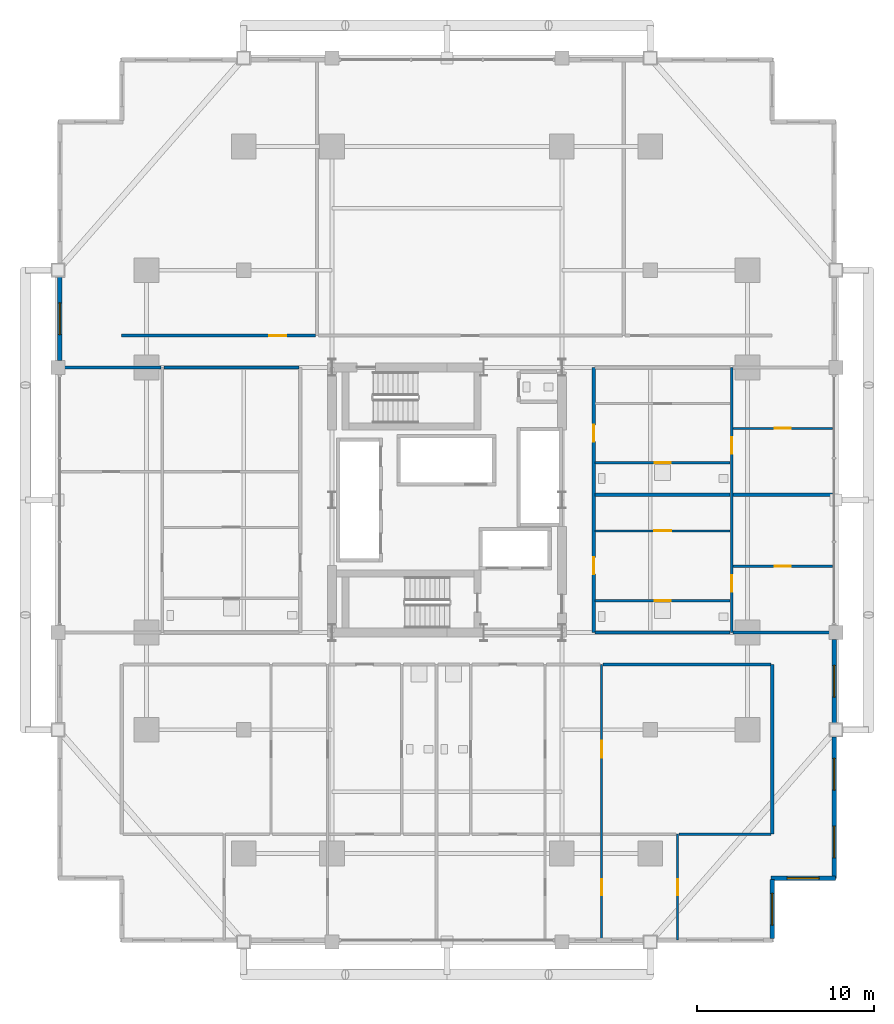
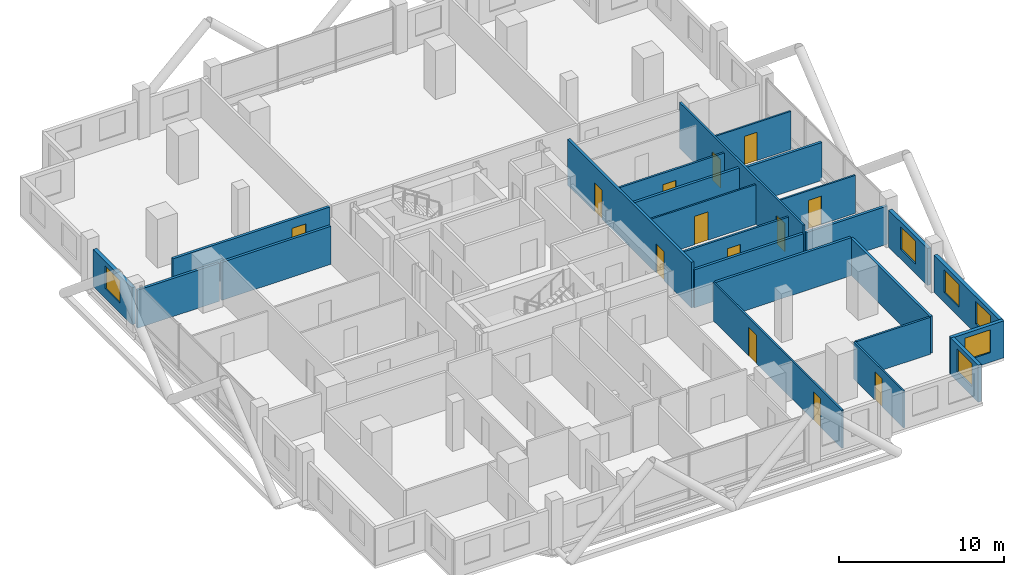
# One storey, part 23 of 27: 24 walls, 13 doors, 6 windows, 19 openings.
"""IFC4 building model written with IfcOpenShell, lengths in metres."""

from ifc_helpers import new_model, si_unit, direction, frame, frame_2d, origin, place, context, subcontext, project, spatial, rectangle, extrude, material, layer, layer_set, type_object, element, fill, save


model = new_model("IFC4")

# Units and contexts
model_context = context("Model", 3, precision=1e-05, world=origin(), true_north=direction((0.0, 1.0)))
body_context = subcontext(model_context, "Body", "Model", "MODEL_VIEW")
ifc_project = project(units=[si_unit("LENGTHUNIT", "METRE"), si_unit("AREAUNIT", "SQUARE_METRE"), si_unit("VOLUMEUNIT", "CUBIC_METRE"), si_unit("PLANEANGLEUNIT", "RADIAN"), si_unit("MASSUNIT", "GRAM", prefix="KILO")], contexts=[model_context])

# Site, building, storey
site_placement = place(None, origin())
site = spatial("IfcSite", under=ifc_project, at=site_placement, CompositionType="ELEMENT")
building_placement = place(site_placement, origin())
building = spatial("IfcBuilding", under=site, at=building_placement, Name="Barlavira Tower and Art Museum", CompositionType="ELEMENT")
storey_placement = place(building_placement, frame((0.0, 0.0, 72.0)))
storey = spatial("IfcBuildingStorey", under=building, at=storey_placement, Name="L17", CompositionType="ELEMENT", Elevation=72.0)

# Wall, openings, doors
ifc_material_1 = material(Name="Gypsum acoustic stud partition", Category="gypsum")
ifc_layer_1 = layer(ifc_material_1, 0.1201171875, Name="Gypsum acoustic stud partition")
ifc_layer_set_1 = layer_set([ifc_layer_1], Name="Gypsum acoustic stud partition")
wall_type_1 = type_object("IfcWallType", Name="Apartment Internal Acoustic Partition 120", PredefinedType="PARTITIONING", material=ifc_layer_set_1)
wall_1_placement = place(storey_placement, frame((8.75, -24.89990234375, 0.0), z_axis=(0.0, 0.0, 1.0), x_axis=(0.0, 1.0, 0.0)))
wall_1 = element("IfcWall", 1, at=wall_1_placement, inside=storey, type_object=wall_type_1, Name="L17 Partition Wall 14", PredefinedType="PARTITIONING", context=body_context, shape_type="SweptSolid", body=[
    extrude(rectangle(XDim=15.599853515625, YDim=0.1201171875, at=frame_2d((7.7998046875, 0.0))), origin(), (0.0, 0.0, 1.0), 2.81591796875),
])
opening_1_placement = place(wall_1_placement, frame((10.324951171875, 0.0, 0.0)))
opening_1 = element("IfcOpeningElement", 2, at=opening_1_placement, cuts=wall_1, Name="Opening D-02", PredefinedType="OPENING", context=body_context, shape_type="SweptSolid", body=[
    extrude(rectangle(XDim=0.949951171875, YDim=2.10009765625, at=frame_2d((0.47509765625, 1.050048828125))), frame((0.0, 0.070068359375, 0.0), z_axis=(0.0, -1.0, 0.0), x_axis=(1.0, 0.0, 0.0)), (0.0, 0.0, 1.0), 0.14013671875),
])
opening_2_placement = place(wall_1_placement, frame((2.550048828125, 0.0, 0.0)))
opening_2 = element("IfcOpeningElement", 3, at=opening_2_placement, cuts=wall_1, Name="Opening D-01", PredefinedType="OPENING", context=body_context, shape_type="SweptSolid", body=[
    extrude(rectangle(XDim=0.89990234375, YDim=2.10009765625, at=frame_2d((0.449951171875, 1.050048828125))), frame((0.0, 0.070068359375, 0.0), z_axis=(0.0, -1.0, 0.0), x_axis=(1.0, 0.0, 0.0)), (0.0, 0.0, 1.0), 0.14013671875),
])
ifc_material_2 = material(Name="Engineered coastal hardwood", Category="wood")
door_type_1 = type_object("IfcDoorType", Name="Internal Bedroom Timber Flush Door 900x2100", OperationType="NOTDEFINED", PredefinedType="DOOR", material=ifc_material_2)
door_1_placement = place(opening_2_placement, origin())
door_1 = element("IfcDoor", 4, at=door_1_placement, inside=storey, type_object=door_type_1, Name="Apartment S2 Bedroom 2 Door", OperationType="SINGLE_SWING_LEFT", OverallHeight=2.10009765625, OverallWidth=0.89990234375, PredefinedType="DOOR", context=body_context, shape_type="SweptSolid", body=[
    extrude(rectangle(XDim=0.89990234375, YDim=2.10009765625, at=frame_2d((0.449951171875, 1.050048828125))), frame((0.0, 0.02490234375, 0.0), z_axis=(0.0, -1.0, 0.0), x_axis=(1.0, 0.0, 0.0)), (0.0, 0.0, 1.0), 0.050048828125),
])
fill(opening_2, door_1)
door_type_2 = type_object("IfcDoorType", Name="Living and Salon Glazed-Leaf Door 950x2100", OperationType="NOTDEFINED", PredefinedType="DOOR", material=ifc_material_2)
door_2_placement = place(opening_1_placement, origin())
door_2 = element("IfcDoor", 5, at=door_2_placement, inside=storey, type_object=door_type_2, Name="Apartment S2 Dining Salon Door", OperationType="SINGLE_SWING_RIGHT", OverallHeight=2.10009765625, OverallWidth=0.949951171875, PredefinedType="DOOR", context=body_context, shape_type="SweptSolid", body=[
    extrude(rectangle(XDim=0.949951171875, YDim=2.10009765625, at=frame_2d((0.47509765625, 1.050048828125))), frame((0.0, 0.02490234375, 0.0), z_axis=(0.0, -1.0, 0.0), x_axis=(1.0, 0.0, 0.0)), (0.0, 0.0, 1.0), 0.050048828125),
])
fill(opening_1, door_2)

# Wall, opening, door
wall_2_placement = place(storey_placement, frame((13.050048828125, -24.89990234375, 0.0), z_axis=(0.0, 0.0, 1.0), x_axis=(0.0, 1.0, 0.0)))
wall_2 = element("IfcWall", 6, at=wall_2_placement, inside=storey, type_object=wall_type_1, Name="L17 Partition Wall 16", PredefinedType="PARTITIONING", context=body_context, shape_type="SweptSolid", body=[
    extrude(rectangle(XDim=6.0, YDim=0.1201171875, at=frame_2d((3.0, 0.0))), origin(), (0.0, 0.0, 1.0), 2.736083984375),
])
opening_3_placement = place(wall_2_placement, frame((2.550048828125, 0.0, 0.0)))
opening_3 = element("IfcOpeningElement", 7, at=opening_3_placement, cuts=wall_2, Name="Opening D-01", PredefinedType="OPENING", context=body_context, shape_type="SweptSolid", body=[
    extrude(rectangle(XDim=0.89990234375, YDim=2.10009765625, at=frame_2d((0.449951171875, 1.050048828125))), frame((0.0, 0.070068359375, 0.0), z_axis=(0.0, -1.0, 0.0), x_axis=(1.0, 0.0, 0.0)), (0.0, 0.0, 1.0), 0.14013671875),
])
door_3_placement = place(opening_3_placement, origin())
door_3 = element("IfcDoor", 8, at=door_3_placement, inside=storey, type_object=door_type_1, Name="Apartment S2 Bedroom 3 Door", OperationType="SINGLE_SWING_RIGHT", OverallHeight=2.10009765625, OverallWidth=0.89990234375, PredefinedType="DOOR", context=body_context, shape_type="SweptSolid", body=[
    extrude(rectangle(XDim=0.89990234375, YDim=2.10009765625, at=frame_2d((0.449951171875, 1.050048828125))), frame((0.0, 0.02490234375, 0.0), z_axis=(0.0, -1.0, 0.0), x_axis=(1.0, 0.0, 0.0)), (0.0, 0.0, 1.0), 0.050048828125),
])
fill(opening_3, door_3)

wall_3_placement = place(storey_placement, frame((16.179931640625, -3.75, 0.0), z_axis=(0.0, 0.0, 1.0), x_axis=(1.0, 0.0, 0.0)))
wall_3 = element("IfcWall", 9, at=wall_3_placement, inside=storey, type_object=wall_type_1, Name="L17 Partition Wall 43", PredefinedType="PARTITIONING", context=body_context, shape_type="SweptSolid", body=[
    extrude(rectangle(XDim=5.64013671875, YDim=0.1201171875, at=frame_2d((2.820068359375, 0.0))), origin(), (0.0, 0.0, 1.0), 2.81591796875),
])
opening_4_placement = place(wall_3_placement, frame((2.3701171875, 0.0, 0.0)))
opening_4 = element("IfcOpeningElement", 10, at=opening_4_placement, cuts=wall_3, Name="Opening D-01", PredefinedType="OPENING", context=body_context, shape_type="SweptSolid", body=[
    extrude(rectangle(XDim=0.89990234375, YDim=2.10009765625, at=frame_2d((0.449951171875, 1.050048828125))), frame((0.0, 0.070068359375, 0.0), z_axis=(0.0, -1.0, 0.0), x_axis=(1.0, 0.0, 0.0)), (0.0, 0.0, 1.0), 0.14013671875),
])
door_4_placement = place(opening_4_placement, origin())
door_4 = element("IfcDoor", 11, at=door_4_placement, inside=storey, type_object=door_type_1, Name="Apartment E1 Bedroom 1 Door", OperationType="SINGLE_SWING_RIGHT", OverallHeight=2.10009765625, OverallWidth=0.89990234375, PredefinedType="DOOR", context=body_context, shape_type="SweptSolid", body=[
    extrude(rectangle(XDim=0.89990234375, YDim=2.10009765625, at=frame_2d((0.449951171875, 1.050048828125))), frame((0.0, 0.02490234375, 0.0), z_axis=(0.0, -1.0, 0.0), x_axis=(1.0, 0.0, 0.0)), (0.0, 0.0, 1.0), 0.050048828125),
])
fill(opening_4, door_4)

wall_4_placement = place(storey_placement, frame((8.3798828125, -1.75, 0.0), z_axis=(0.0, 0.0, 1.0), x_axis=(1.0, 0.0, 0.0)))
wall_4 = element("IfcWall", 12, at=wall_4_placement, inside=storey, type_object=wall_type_1, Name="L17 Partition Wall 44", PredefinedType="PARTITIONING", context=body_context, shape_type="SweptSolid", body=[
    extrude(rectangle(XDim=7.64013671875, YDim=0.1201171875, at=frame_2d((3.820068359375, 0.0))), origin(), (0.0, 0.0, 1.0), 2.947998046875),
])
opening_5_placement = place(wall_4_placement, frame((3.344970703125, 0.0, 0.0)))
opening_5 = element("IfcOpeningElement", 13, at=opening_5_placement, cuts=wall_4, Name="Opening D-02", PredefinedType="OPENING", context=body_context, shape_type="SweptSolid", body=[
    extrude(rectangle(XDim=0.949951171875, YDim=2.10009765625, at=frame_2d((0.47509765625, 1.050048828125))), frame((0.0, 0.070068359375, 0.0), z_axis=(0.0, -1.0, 0.0), x_axis=(1.0, 0.0, 0.0)), (0.0, 0.0, 1.0), 0.14013671875),
])
door_5_placement = place(opening_5_placement, origin())
door_5 = element("IfcDoor", 14, at=door_5_placement, inside=storey, type_object=door_type_2, Name="Apartment E1 Kitchen Door", OperationType="SINGLE_SWING_RIGHT", OverallHeight=2.10009765625, OverallWidth=0.949951171875, PredefinedType="DOOR", context=body_context, shape_type="SweptSolid", body=[
    extrude(rectangle(XDim=0.949951171875, YDim=2.10009765625, at=frame_2d((0.47509765625, 1.050048828125))), frame((0.0, 0.02490234375, 0.0), z_axis=(0.0, -1.0, 0.0), x_axis=(1.0, 0.0, 0.0)), (0.0, 0.0, 1.0), 0.050048828125),
])
fill(opening_5, door_5)

wall_5_placement = place(storey_placement, frame((16.179931640625, 4.050048828125, 0.0), z_axis=(0.0, 0.0, 1.0), x_axis=(1.0, 0.0, 0.0)))
wall_5 = element("IfcWall", 15, at=wall_5_placement, inside=storey, type_object=wall_type_1, Name="L17 Partition Wall 51", PredefinedType="PARTITIONING", context=body_context, shape_type="SweptSolid", body=[
    extrude(rectangle(XDim=5.64013671875, YDim=0.1201171875, at=frame_2d((2.820068359375, 0.0))), origin(), (0.0, 0.0, 1.0), 2.81591796875),
])
opening_6_placement = place(wall_5_placement, frame((2.3701171875, 0.0, 0.0)))
opening_6 = element("IfcOpeningElement", 16, at=opening_6_placement, cuts=wall_5, Name="Opening D-01", PredefinedType="OPENING", context=body_context, shape_type="SweptSolid", body=[
    extrude(rectangle(XDim=0.89990234375, YDim=2.10009765625, at=frame_2d((0.449951171875, 1.050048828125))), frame((0.0, 0.070068359375, 0.0), z_axis=(0.0, -1.0, 0.0), x_axis=(1.0, 0.0, 0.0)), (0.0, 0.0, 1.0), 0.14013671875),
])
door_6_placement = place(opening_6_placement, origin())
door_6 = element("IfcDoor", 17, at=door_6_placement, inside=storey, type_object=door_type_1, Name="Apartment E2 Bedroom 1 Door", OperationType="SINGLE_SWING_LEFT", OverallHeight=2.10009765625, OverallWidth=0.89990234375, PredefinedType="DOOR", context=body_context, shape_type="SweptSolid", body=[
    extrude(rectangle(XDim=0.89990234375, YDim=2.10009765625, at=frame_2d((0.449951171875, 1.050048828125))), frame((0.0, 0.02490234375, 0.0), z_axis=(0.0, -1.0, 0.0), x_axis=(1.0, 0.0, 0.0)), (0.0, 0.0, 1.0), 0.050048828125),
])
fill(opening_6, door_6)

# Wall, openings, doors
ifc_layer_2 = layer(ifc_material_1, 0.179931640625, Name="Gypsum acoustic stud partition")
ifc_layer_set_2 = layer_set([ifc_layer_2], Name="Gypsum acoustic stud partition")
wall_type_2 = type_object("IfcWallType", Name="Inter-Tenancy Party Partition Wall 180", PredefinedType="PARTITIONING", material=ifc_layer_set_2)
wall_6_placement = place(storey_placement, frame((8.300048828125, -7.5, 0.0), z_axis=(0.0, 0.0, 1.0), x_axis=(0.0, 1.0, 0.0)))
wall_6 = element("IfcWall", 18, at=wall_6_placement, inside=storey, type_object=wall_type_2, Name="L17 Partition Wall 13", PredefinedType="PARTITIONING", context=body_context, shape_type="SweptSolid", body=[
    extrude(rectangle(XDim=15.0, YDim=0.179931640625, at=frame_2d((7.5, 0.0))), origin(), (0.0, 0.0, 1.0), 3.3798828125),
])
opening_7_placement = place(wall_6_placement, frame((3.304931640625, 0.0, 0.0)))
opening_7 = element("IfcOpeningElement", 19, at=opening_7_placement, cuts=wall_6, Name="Opening FD-60", PredefinedType="OPENING", context=body_context, shape_type="SweptSolid", body=[
    extrude(rectangle(XDim=0.949951171875, YDim=2.14990234375, at=frame_2d((0.47509765625, 1.074951171875))), frame((0.0, 0.10009765625, 0.0), z_axis=(0.0, -1.0, 0.0), x_axis=(1.0, 0.0, 0.0)), (0.0, 0.0, 1.0), 0.199951171875),
])
opening_8_placement = place(wall_6_placement, frame((10.804931640625, 0.0, 0.0)))
opening_8 = element("IfcOpeningElement", 20, at=opening_8_placement, cuts=wall_6, Name="Opening FD-60", PredefinedType="OPENING", context=body_context, shape_type="SweptSolid", body=[
    extrude(rectangle(XDim=0.949951171875, YDim=2.14990234375, at=frame_2d((0.47509765625, 1.074951171875))), frame((0.0, 0.10009765625, 0.0), z_axis=(0.0, -1.0, 0.0), x_axis=(1.0, 0.0, 0.0)), (0.0, 0.0, 1.0), 0.199951171875),
])
ifc_material_3 = material(Name="Brushed stainless steel", Category="steel")
door_type_3 = type_object("IfcDoorType", Name="Apartment Entrance and Riser Fire Door 950x2150 FD60S", OperationType="NOTDEFINED", PredefinedType="DOOR", material=ifc_material_3)
door_7_placement = place(opening_7_placement, origin())
door_7 = element("IfcDoor", 21, at=door_7_placement, inside=storey, type_object=door_type_3, Name="Apartment Entrance Hall E1 Door", OperationType="SINGLE_SWING_LEFT", OverallHeight=2.14990234375, OverallWidth=0.949951171875, PredefinedType="DOOR", context=body_context, shape_type="SweptSolid", body=[
    extrude(rectangle(XDim=0.949951171875, YDim=2.14990234375, at=frame_2d((0.47509765625, 1.074951171875))), frame((0.0, 0.02490234375, 0.0), z_axis=(0.0, -1.0, 0.0), x_axis=(1.0, 0.0, 0.0)), (0.0, 0.0, 1.0), 0.050048828125),
])
fill(opening_7, door_7)
door_8_placement = place(opening_8_placement, origin())
door_8 = element("IfcDoor", 22, at=door_8_placement, inside=storey, type_object=door_type_3, Name="Apartment Entrance Hall E2 Door", OperationType="SINGLE_SWING_RIGHT", OverallHeight=2.14990234375, OverallWidth=0.949951171875, PredefinedType="DOOR", context=body_context, shape_type="SweptSolid", body=[
    extrude(rectangle(XDim=0.949951171875, YDim=2.14990234375, at=frame_2d((0.47509765625, 1.074951171875))), frame((0.0, 0.02490234375, 0.0), z_axis=(0.0, -1.0, 0.0), x_axis=(1.0, 0.0, 0.0)), (0.0, 0.0, 1.0), 0.050048828125),
])
fill(opening_8, door_8)

# Walls
wall_7_placement = place(storey_placement, frame((18.39990234375, -18.89990234375, 0.0), z_axis=(0.0, 0.0, 1.0), x_axis=(0.0, 1.0, 0.0)))
element("IfcWall", 23, at=wall_7_placement, inside=storey, type_object=wall_type_2, Name="L17 Partition Wall 18", PredefinedType="PARTITIONING", context=body_context, shape_type="SweptSolid", body=[
    extrude(rectangle(XDim=9.599853515625, YDim=0.179931640625, at=frame_2d((4.7998046875, 0.0))), origin(), (0.0, 0.0, 1.0), 2.736083984375),
])
wall_8_placement = place(storey_placement, frame((8.830078125, -9.300048828125, 0.0), z_axis=(0.0, 0.0, 1.0), x_axis=(1.0, 0.0, 0.0)))
element("IfcWall", 24, at=wall_8_placement, inside=storey, type_object=wall_type_2, Name="L17 Partition Wall 36", PredefinedType="PARTITIONING", context=body_context, shape_type="SweptSolid", body=[
    extrude(rectangle(XDim=9.489990234375, YDim=0.179931640625, at=frame_2d((4.7451171875, 0.0))), origin(), (0.0, 0.0, 1.0), 2.81591796875),
])
wall_9_placement = place(storey_placement, frame((8.3798828125, -7.5, 0.0), z_axis=(0.0, 0.0, 1.0), x_axis=(1.0, 0.0, 0.0)))
element("IfcWall", 25, at=wall_9_placement, inside=storey, type_object=wall_type_2, Name="L17 Partition Wall 39", PredefinedType="PARTITIONING", context=body_context, shape_type="SweptSolid", body=[
    extrude(rectangle(XDim=7.64013671875, YDim=0.179931640625, at=frame_2d((3.820068359375, 0.0))), origin(), (0.0, 0.0, 1.0), 2.81591796875),
])
wall_10_placement = place(storey_placement, frame((16.179931640625, -7.5, 0.0), z_axis=(0.0, 0.0, 1.0), x_axis=(1.0, 0.0, 0.0)))
element("IfcWall", 26, at=wall_10_placement, inside=storey, type_object=wall_type_2, Name="L17 Partition Wall 40", PredefinedType="PARTITIONING", context=body_context, shape_type="SweptSolid", body=[
    extrude(rectangle(XDim=5.719970703125, YDim=0.179931640625, at=frame_2d((2.85986328125, 0.0))), origin(), (0.0, 0.0, 1.0), 2.81591796875),
])
wall_11_placement = place(storey_placement, frame((8.3798828125, 0.300048828125, 0.0), z_axis=(0.0, 0.0, 1.0), x_axis=(1.0, 0.0, 0.0)))
element("IfcWall", 27, at=wall_11_placement, inside=storey, type_object=wall_type_2, Name="L17 Partition Wall 46", PredefinedType="PARTITIONING", context=body_context, shape_type="SweptSolid", body=[
    extrude(rectangle(XDim=7.64013671875, YDim=0.179931640625, at=frame_2d((3.820068359375, 0.0))), origin(), (0.0, 0.0, 1.0), 2.947998046875),
])
wall_12_placement = place(storey_placement, frame((16.179931640625, 0.300048828125, 0.0), z_axis=(0.0, 0.0, 1.0), x_axis=(1.0, 0.0, 0.0)))
element("IfcWall", 28, at=wall_12_placement, inside=storey, type_object=wall_type_2, Name="L17 Partition Wall 47", PredefinedType="PARTITIONING", context=body_context, shape_type="SweptSolid", body=[
    extrude(rectangle(XDim=5.64013671875, YDim=0.179931640625, at=frame_2d((2.820068359375, 0.0))), origin(), (0.0, 0.0, 1.0), 2.81591796875),
])
wall_13_placement = place(storey_placement, frame((-21.89990234375, 7.5, 0.0), z_axis=(0.0, 0.0, 1.0), x_axis=(1.0, 0.0, 0.0)))
element("IfcWall", 29, at=wall_13_placement, inside=storey, type_object=wall_type_2, Name="L17 Partition Wall 55", PredefinedType="PARTITIONING", context=body_context, shape_type="SweptSolid", body=[
    extrude(rectangle(XDim=5.719970703125, YDim=0.179931640625, at=frame_2d((2.85986328125, 0.0))), origin(), (0.0, 0.0, 1.0), 2.81591796875),
])
wall_14_placement = place(storey_placement, frame((-16.02001953125, 7.5, 0.0), z_axis=(0.0, 0.0, 1.0), x_axis=(1.0, 0.0, 0.0)))
element("IfcWall", 30, at=wall_14_placement, inside=storey, type_object=wall_type_2, Name="L17 Partition Wall 56", PredefinedType="PARTITIONING", context=body_context, shape_type="SweptSolid", body=[
    extrude(rectangle(XDim=7.64013671875, YDim=0.179931640625, at=frame_2d((3.820068359375, 0.0))), origin(), (0.0, 0.0, 1.0), 2.81591796875),
])

# Wall, opening, door
wall_15_placement = place(storey_placement, frame((-18.39990234375, 9.300048828125, 0.0), z_axis=(0.0, 0.0, 1.0), x_axis=(1.0, 0.0, 0.0)))
wall_15 = element("IfcWall", 31, at=wall_15_placement, inside=storey, type_object=wall_type_2, Name="L17 Partition Wall 59", PredefinedType="PARTITIONING", context=body_context, shape_type="SweptSolid", body=[
    extrude(rectangle(XDim=10.969970703125, YDim=0.179931640625, at=frame_2d((5.48486328125, 0.0))), origin(), (0.0, 0.0, 1.0), 2.81591796875),
])
opening_9_placement = place(wall_15_placement, frame((8.344970703125, 0.0, 0.0)))
opening_9 = element("IfcOpeningElement", 32, at=opening_9_placement, cuts=wall_15, Name="Opening FD-60", PredefinedType="OPENING", context=body_context, shape_type="SweptSolid", body=[
    extrude(rectangle(XDim=0.949951171875, YDim=2.14990234375, at=frame_2d((0.47509765625, 1.074951171875))), frame((0.0, 0.10009765625, 0.0), z_axis=(0.0, -1.0, 0.0), x_axis=(1.0, 0.0, 0.0)), (0.0, 0.0, 1.0), 0.199951171875),
])
door_9_placement = place(opening_9_placement, origin())
door_9 = element("IfcDoor", 33, at=door_9_placement, inside=storey, type_object=door_type_3, Name="Resident Rare-Book Reading Room Door", OperationType="SINGLE_SWING_LEFT", OverallHeight=2.14990234375, OverallWidth=0.949951171875, PredefinedType="DOOR", context=body_context, shape_type="SweptSolid", body=[
    extrude(rectangle(XDim=0.949951171875, YDim=2.14990234375, at=frame_2d((0.47509765625, 1.074951171875))), frame((0.0, 0.02490234375, 0.0), z_axis=(0.0, -1.0, 0.0), x_axis=(1.0, 0.0, 0.0)), (0.0, 0.0, 1.0), 0.050048828125),
])
fill(opening_9, door_9)

# Wall, openings, doors
ifc_layer_3 = layer(ifc_material_1, 0.139892578125, Name="Gypsum acoustic stud partition")
ifc_layer_set_3 = layer_set([ifc_layer_3], Name="Gypsum acoustic stud partition")
wall_type_3 = type_object("IfcWallType", Name="Moisture-Resistant Bathroom Partition 140", PredefinedType="PARTITIONING", material=ifc_layer_set_3)
wall_16_placement = place(storey_placement, frame((16.10009765625, -7.5, 0.0), z_axis=(0.0, 0.0, 1.0), x_axis=(0.0, 1.0, 0.0)))
wall_16 = element("IfcWall", 34, at=wall_16_placement, inside=storey, type_object=wall_type_3, Name="L17 Partition Wall 17", PredefinedType="PARTITIONING", context=body_context, shape_type="SweptSolid", body=[
    extrude(rectangle(XDim=15.0, YDim=0.139892578125, at=frame_2d((7.5, 0.0))), origin(), (0.0, 0.0, 1.0), 3.3798828125),
])
opening_10_placement = place(wall_16_placement, frame((2.304931640625, 0.0, 0.0)))
opening_10 = element("IfcOpeningElement", 35, at=opening_10_placement, cuts=wall_16, Name="Opening D-02", PredefinedType="OPENING", context=body_context, shape_type="SweptSolid", body=[
    extrude(rectangle(XDim=0.949951171875, YDim=2.10009765625, at=frame_2d((0.47509765625, 1.050048828125))), frame((0.0, 0.080078125, 0.0), z_axis=(0.0, -1.0, 0.0), x_axis=(1.0, 0.0, 0.0)), (0.0, 0.0, 1.0), 0.159912109375),
])
opening_11_placement = place(wall_16_placement, frame((10.10498046875, 0.0, 0.0)))
opening_11 = element("IfcOpeningElement", 36, at=opening_11_placement, cuts=wall_16, Name="Opening D-02", PredefinedType="OPENING", context=body_context, shape_type="SweptSolid", body=[
    extrude(rectangle(XDim=0.949951171875, YDim=2.10009765625, at=frame_2d((0.47509765625, 1.050048828125))), frame((0.0, 0.080078125, 0.0), z_axis=(0.0, -1.0, 0.0), x_axis=(1.0, 0.0, 0.0)), (0.0, 0.0, 1.0), 0.159912109375),
])
door_10_placement = place(opening_10_placement, origin())
door_10 = element("IfcDoor", 37, at=door_10_placement, inside=storey, type_object=door_type_2, Name="Apartment E1 Living Lounge Door", OperationType="SINGLE_SWING_LEFT", OverallHeight=2.10009765625, OverallWidth=0.949951171875, PredefinedType="DOOR", context=body_context, shape_type="SweptSolid", body=[
    extrude(rectangle(XDim=0.949951171875, YDim=2.10009765625, at=frame_2d((0.47509765625, 1.050048828125))), frame((0.0, 0.02490234375, 0.0), z_axis=(0.0, -1.0, 0.0), x_axis=(1.0, 0.0, 0.0)), (0.0, 0.0, 1.0), 0.050048828125),
])
fill(opening_10, door_10)
door_11_placement = place(opening_11_placement, origin())
door_11 = element("IfcDoor", 38, at=door_11_placement, inside=storey, type_object=door_type_2, Name="Apartment E2 Living Lounge Door", OperationType="SINGLE_SWING_RIGHT", OverallHeight=2.10009765625, OverallWidth=0.949951171875, PredefinedType="DOOR", context=body_context, shape_type="SweptSolid", body=[
    extrude(rectangle(XDim=0.949951171875, YDim=2.10009765625, at=frame_2d((0.47509765625, 1.050048828125))), frame((0.0, 0.02490234375, 0.0), z_axis=(0.0, -1.0, 0.0), x_axis=(1.0, 0.0, 0.0)), (0.0, 0.0, 1.0), 0.050048828125),
])
fill(opening_11, door_11)

# Wall
wall_17_placement = place(storey_placement, frame((13.1298828125, -18.89990234375, 0.0), z_axis=(0.0, 0.0, 1.0), x_axis=(1.0, 0.0, 0.0)))
element("IfcWall", 39, at=wall_17_placement, inside=storey, type_object=wall_type_3, Name="L17 Partition Wall 28", PredefinedType="PARTITIONING", context=body_context, shape_type="SweptSolid", body=[
    extrude(rectangle(XDim=5.190185546875, YDim=0.139892578125, at=frame_2d((2.59521484375, 0.0))), origin(), (0.0, 0.0, 1.0), 2.736083984375),
])

# Wall, opening, door
wall_18_placement = place(storey_placement, frame((8.3798828125, -5.699951171875, 0.0), z_axis=(0.0, 0.0, 1.0), x_axis=(1.0, 0.0, 0.0)))
wall_18 = element("IfcWall", 40, at=wall_18_placement, inside=storey, type_object=wall_type_3, Name="L17 Partition Wall 41", PredefinedType="PARTITIONING", context=body_context, shape_type="SweptSolid", body=[
    extrude(rectangle(XDim=7.64013671875, YDim=0.139892578125, at=frame_2d((3.820068359375, 0.0))), origin(), (0.0, 0.0, 1.0), 2.947998046875),
])
opening_12_placement = place(wall_18_placement, frame((3.3701171875, 0.0, 0.0)))
opening_12 = element("IfcOpeningElement", 41, at=opening_12_placement, cuts=wall_18, Name="Opening D-WC", PredefinedType="OPENING", context=body_context, shape_type="SweptSolid", body=[
    extrude(rectangle(XDim=0.89990234375, YDim=2.10009765625, at=frame_2d((0.449951171875, 1.050048828125))), frame((0.0, 0.080078125, 0.0), z_axis=(0.0, -1.0, 0.0), x_axis=(1.0, 0.0, 0.0)), (0.0, 0.0, 1.0), 0.159912109375),
])
door_type_4 = type_object("IfcDoorType", Name="Accessible Bathroom Flush Door 900x2100", OperationType="NOTDEFINED", PredefinedType="DOOR", material=ifc_material_2)
door_12_placement = place(opening_12_placement, origin())
door_12 = element("IfcDoor", 42, at=door_12_placement, inside=storey, type_object=door_type_4, Name="Apartment E1 Hall Bathroom Door", OperationType="SINGLE_SWING_RIGHT", OverallHeight=2.10009765625, OverallWidth=0.89990234375, PredefinedType="DOOR", context=body_context, shape_type="SweptSolid", body=[
    extrude(rectangle(XDim=0.89990234375, YDim=2.10009765625, at=frame_2d((0.449951171875, 1.050048828125))), frame((0.0, 0.02490234375, 0.0), z_axis=(0.0, -1.0, 0.0), x_axis=(1.0, 0.0, 0.0)), (0.0, 0.0, 1.0), 0.050048828125),
])
fill(opening_12, door_12)

wall_19_placement = place(storey_placement, frame((8.3798828125, 2.10009765625, 0.0), z_axis=(0.0, 0.0, 1.0), x_axis=(1.0, 0.0, 0.0)))
wall_19 = element("IfcWall", 43, at=wall_19_placement, inside=storey, type_object=wall_type_3, Name="L17 Partition Wall 50", PredefinedType="PARTITIONING", context=body_context, shape_type="SweptSolid", body=[
    extrude(rectangle(XDim=7.64013671875, YDim=0.139892578125, at=frame_2d((3.820068359375, 0.0))), origin(), (0.0, 0.0, 1.0), 2.947998046875),
])
opening_13_placement = place(wall_19_placement, frame((3.3701171875, 0.0, 0.0)))
opening_13 = element("IfcOpeningElement", 44, at=opening_13_placement, cuts=wall_19, Name="Opening D-WC", PredefinedType="OPENING", context=body_context, shape_type="SweptSolid", body=[
    extrude(rectangle(XDim=0.89990234375, YDim=2.10009765625, at=frame_2d((0.449951171875, 1.050048828125))), frame((0.0, 0.080078125, 0.0), z_axis=(0.0, -1.0, 0.0), x_axis=(1.0, 0.0, 0.0)), (0.0, 0.0, 1.0), 0.159912109375),
])
door_13_placement = place(opening_13_placement, origin())
door_13 = element("IfcDoor", 45, at=door_13_placement, inside=storey, type_object=door_type_4, Name="Apartment E2 Hall Bathroom Door", OperationType="SINGLE_SWING_LEFT", OverallHeight=2.10009765625, OverallWidth=0.89990234375, PredefinedType="DOOR", context=body_context, shape_type="SweptSolid", body=[
    extrude(rectangle(XDim=0.89990234375, YDim=2.10009765625, at=frame_2d((0.449951171875, 1.050048828125))), frame((0.0, 0.02490234375, 0.0), z_axis=(0.0, -1.0, 0.0), x_axis=(1.0, 0.0, 0.0)), (0.0, 0.0, 1.0), 0.050048828125),
])
fill(opening_13, door_13)

# Wall, opening, window
ifc_material_4 = material(Name="Precast concrete C40", Category="concrete")
ifc_layer_4 = layer(ifc_material_4, 0.25, Name="Precast concrete C40")
ifc_layer_set_4 = layer_set([ifc_layer_4], Name="Precast concrete C40")
wall_type_4 = type_object("IfcWallType", Name="Notched Corner Spandrel Wall 250 Precast Concrete C40", PredefinedType="SOLIDWALL", material=ifc_layer_set_4)
wall_20_placement = place(storey_placement, frame((-21.89990234375, 12.60498046875, 0.0), z_axis=(0.0, 0.0, 1.0), x_axis=(0.0, -1.0, 0.0)))
wall_20 = element("IfcWall", 46, at=wall_20_placement, inside=storey, type_object=wall_type_4, Name="L17 Coastal Facade Pier Wall CW1-L17-W-2", PredefinedType="SOLIDWALL", context=body_context, shape_type="SweptSolid", body=[
    extrude(rectangle(XDim=4.7099609375, YDim=0.25, at=frame_2d((2.35498046875, 0.0))), origin(), (0.0, 0.0, 1.0), 2.736083984375),
])
opening_14_placement = place(wall_20_placement, frame((1.455078125, 0.0, 0.719970703125)))
opening_14 = element("IfcOpeningElement", 47, at=opening_14_placement, cuts=wall_20, Name="Opening WN-01", PredefinedType="OPENING", context=body_context, shape_type="SweptSolid", body=[
    extrude(rectangle(XDim=1.800048828125, YDim=1.679931640625, at=frame_2d((0.89990234375, 0.83984375))), frame((0.0, 0.135009765625, 0.0), z_axis=(0.0, -1.0, 0.0), x_axis=(1.0, 0.0, 0.0)), (0.0, 0.0, 1.0), 0.27001953125),
])
ifc_material_5 = material(Name="Low-iron coastal laminated glass", Category="glass")
window_type = type_object("IfcWindowType", Name="Recessed Notch Corner Punch Window 1800x1680", PartitioningType="SINGLE_PANEL", PredefinedType="WINDOW", material=ifc_material_5)
window_1_placement = place(opening_14_placement, origin())
window_1 = element("IfcWindow", 48, at=window_1_placement, inside=storey, type_object=window_type, Name="L17 Punched Facade Window EWP-CW1-L17-W-2-1", OverallHeight=1.679931640625, OverallWidth=1.800048828125, PartitioningType="SINGLE_PANEL", PredefinedType="WINDOW", context=body_context, shape_type="SweptSolid", body=[
    extrude(rectangle(XDim=1.800048828125, YDim=1.679931640625, at=frame_2d((0.89990234375, 0.83984375))), frame((0.0, 0.030029296875, 0.0), z_axis=(0.0, -1.0, 0.0), x_axis=(1.0, 0.0, 0.0)), (0.0, 0.0, 1.0), 0.06005859375),
])
fill(opening_14, window_1)

# Wall, openings, windows
wall_21_placement = place(storey_placement, frame((21.89990234375, -21.425048828125, 0.0), z_axis=(0.0, 0.0, 1.0), x_axis=(0.0, 1.0, 0.0)))
wall_21 = element("IfcWall", 49, at=wall_21_placement, inside=storey, type_object=wall_type_4, Name="L17 Coastal Facade Pier Wall CW1-L17-E-1", PredefinedType="SOLIDWALL", context=body_context, shape_type="SweptSolid", body=[
    extrude(rectangle(XDim=8.030029296875, YDim=0.25, at=frame_2d((4.01513671875, 0.0))), origin(), (0.0, 0.0, 1.0), 2.736083984375),
])
opening_15_placement = place(wall_21_placement, frame((1.176025390625, 0.0, 0.719970703125)))
opening_15 = element("IfcOpeningElement", 50, at=opening_15_placement, cuts=wall_21, Name="Opening WN-01", PredefinedType="OPENING", context=body_context, shape_type="SweptSolid", body=[
    extrude(rectangle(XDim=1.800048828125, YDim=1.679931640625, at=frame_2d((0.89990234375, 0.83984375))), frame((0.0, 0.135009765625, 0.0), z_axis=(0.0, -1.0, 0.0), x_axis=(1.0, 0.0, 0.0)), (0.0, 0.0, 1.0), 0.27001953125),
])
opening_16_placement = place(wall_21_placement, frame((5.009033203125, 0.0, 0.719970703125)))
opening_16 = element("IfcOpeningElement", 51, at=opening_16_placement, cuts=wall_21, Name="Opening WN-01", PredefinedType="OPENING", context=body_context, shape_type="SweptSolid", body=[
    extrude(rectangle(XDim=1.800048828125, YDim=1.679931640625, at=frame_2d((0.89990234375, 0.83984375))), frame((0.0, 0.135009765625, 0.0), z_axis=(0.0, -1.0, 0.0), x_axis=(1.0, 0.0, 0.0)), (0.0, 0.0, 1.0), 0.27001953125),
])
window_2_placement = place(opening_15_placement, origin())
window_2 = element("IfcWindow", 52, at=window_2_placement, inside=storey, type_object=window_type, Name="L17 Punched Facade Window EWP-CW1-L17-E-1-1", OverallHeight=1.679931640625, OverallWidth=1.800048828125, PartitioningType="SINGLE_PANEL", PredefinedType="WINDOW", context=body_context, shape_type="SweptSolid", body=[
    extrude(rectangle(XDim=1.800048828125, YDim=1.679931640625, at=frame_2d((0.89990234375, 0.83984375))), frame((0.0, 0.030029296875, 0.0), z_axis=(0.0, -1.0, 0.0), x_axis=(1.0, 0.0, 0.0)), (0.0, 0.0, 1.0), 0.06005859375),
])
fill(opening_15, window_2)
window_3_placement = place(opening_16_placement, origin())
window_3 = element("IfcWindow", 53, at=window_3_placement, inside=storey, type_object=window_type, Name="L17 Punched Facade Window EWP-CW1-L17-E-1-2", OverallHeight=1.679931640625, OverallWidth=1.800048828125, PartitioningType="SINGLE_PANEL", PredefinedType="WINDOW", context=body_context, shape_type="SweptSolid", body=[
    extrude(rectangle(XDim=1.800048828125, YDim=1.679931640625, at=frame_2d((0.89990234375, 0.83984375))), frame((0.0, 0.030029296875, 0.0), z_axis=(0.0, -1.0, 0.0), x_axis=(1.0, 0.0, 0.0)), (0.0, 0.0, 1.0), 0.06005859375),
])
fill(opening_16, window_3)

# Wall, opening, window
wall_22_placement = place(storey_placement, frame((21.89990234375, -12.60498046875, 0.0), z_axis=(0.0, 0.0, 1.0), x_axis=(0.0, 1.0, 0.0)))
wall_22 = element("IfcWall", 54, at=wall_22_placement, inside=storey, type_object=wall_type_4, Name="L17 Coastal Facade Pier Wall CW1-L17-E-2", PredefinedType="SOLIDWALL", context=body_context, shape_type="SweptSolid", body=[
    extrude(rectangle(XDim=4.7099609375, YDim=0.25, at=frame_2d((2.35498046875, 0.0))), origin(), (0.0, 0.0, 1.0), 2.736083984375),
])
opening_17_placement = place(wall_22_placement, frame((1.455078125, 0.0, 0.719970703125)))
opening_17 = element("IfcOpeningElement", 55, at=opening_17_placement, cuts=wall_22, Name="Opening WN-01", PredefinedType="OPENING", context=body_context, shape_type="SweptSolid", body=[
    extrude(rectangle(XDim=1.800048828125, YDim=1.679931640625, at=frame_2d((0.89990234375, 0.83984375))), frame((0.0, 0.135009765625, 0.0), z_axis=(0.0, -1.0, 0.0), x_axis=(1.0, 0.0, 0.0)), (0.0, 0.0, 1.0), 0.27001953125),
])
window_4_placement = place(opening_17_placement, origin())
window_4 = element("IfcWindow", 56, at=window_4_placement, inside=storey, type_object=window_type, Name="L17 Punched Facade Window EWP-CW1-L17-E-2-1", OverallHeight=1.679931640625, OverallWidth=1.800048828125, PartitioningType="SINGLE_PANEL", PredefinedType="WINDOW", context=body_context, shape_type="SweptSolid", body=[
    extrude(rectangle(XDim=1.800048828125, YDim=1.679931640625, at=frame_2d((0.89990234375, 0.83984375))), frame((0.0, 0.030029296875, 0.0), z_axis=(0.0, -1.0, 0.0), x_axis=(1.0, 0.0, 0.0)), (0.0, 0.0, 1.0), 0.06005859375),
])
fill(opening_17, window_4)

wall_23_placement = place(storey_placement, frame((18.39990234375, -24.820068359375, 0.0), z_axis=(0.0, 0.0, 1.0), x_axis=(0.0, 1.0, 0.0)))
wall_23 = element("IfcWall", 57, at=wall_23_placement, inside=storey, type_object=wall_type_4, Name="L17 Notch Corner Wall SE1", PredefinedType="SOLIDWALL", context=body_context, shape_type="SweptSolid", body=[
    extrude(rectangle(XDim=3.340087890625, YDim=0.25, at=frame_2d((1.669921875, 0.0))), origin(), (0.0, 0.0, 1.0), 2.736083984375),
])
opening_18_placement = place(wall_23_placement, frame((0.77001953125, 0.0, 0.719970703125)))
opening_18 = element("IfcOpeningElement", 58, at=opening_18_placement, cuts=wall_23, Name="Opening WN-01", PredefinedType="OPENING", context=body_context, shape_type="SweptSolid", body=[
    extrude(rectangle(XDim=1.800048828125, YDim=1.679931640625, at=frame_2d((0.89990234375, 0.83984375))), frame((0.0, 0.135009765625, 0.0), z_axis=(0.0, -1.0, 0.0), x_axis=(1.0, 0.0, 0.0)), (0.0, 0.0, 1.0), 0.27001953125),
])
window_5_placement = place(opening_18_placement, origin())
window_5 = element("IfcWindow", 59, at=window_5_placement, inside=storey, type_object=window_type, Name="L17 Punched Facade Window EW-NTC-L17-SE1-1", OverallHeight=1.679931640625, OverallWidth=1.800048828125, PartitioningType="SINGLE_PANEL", PredefinedType="WINDOW", context=body_context, shape_type="SweptSolid", body=[
    extrude(rectangle(XDim=1.800048828125, YDim=1.679931640625, at=frame_2d((0.89990234375, 0.83984375))), frame((0.0, 0.030029296875, 0.0), z_axis=(0.0, -1.0, 0.0), x_axis=(1.0, 0.0, 0.0)), (0.0, 0.0, 1.0), 0.06005859375),
])
fill(opening_18, window_5)

wall_24_placement = place(storey_placement, frame((18.320068359375, -21.39990234375, 0.0), z_axis=(0.0, 0.0, 1.0), x_axis=(1.0, 0.0, 0.0)))
wall_24 = element("IfcWall", 60, at=wall_24_placement, inside=storey, type_object=wall_type_4, Name="L17 Notch Corner Wall SE2", PredefinedType="SOLIDWALL", context=body_context, shape_type="SweptSolid", body=[
    extrude(rectangle(XDim=3.659912109375, YDim=0.25, at=frame_2d((1.830078125, 0.0))), origin(), (0.0, 0.0, 1.0), 2.736083984375),
])
opening_19_placement = place(wall_24_placement, frame((0.929931640625, 0.0, 0.719970703125)))
opening_19 = element("IfcOpeningElement", 61, at=opening_19_placement, cuts=wall_24, Name="Opening WN-01", PredefinedType="OPENING", context=body_context, shape_type="SweptSolid", body=[
    extrude(rectangle(XDim=1.800048828125, YDim=1.679931640625, at=frame_2d((0.89990234375, 0.83984375))), frame((0.0, 0.135009765625, 0.0), z_axis=(0.0, -1.0, 0.0), x_axis=(1.0, 0.0, 0.0)), (0.0, 0.0, 1.0), 0.27001953125),
])
window_6_placement = place(opening_19_placement, origin())
window_6 = element("IfcWindow", 62, at=window_6_placement, inside=storey, type_object=window_type, Name="L17 Punched Facade Window EW-NTC-L17-SE2-1", OverallHeight=1.679931640625, OverallWidth=1.800048828125, PartitioningType="SINGLE_PANEL", PredefinedType="WINDOW", context=body_context, shape_type="SweptSolid", body=[
    extrude(rectangle(XDim=1.800048828125, YDim=1.679931640625, at=frame_2d((0.89990234375, 0.83984375))), frame((0.0, 0.030029296875, 0.0), z_axis=(0.0, -1.0, 0.0), x_axis=(1.0, 0.0, 0.0)), (0.0, 0.0, 1.0), 0.06005859375),
])
fill(opening_19, window_6)

save(model, "model.ifc")
